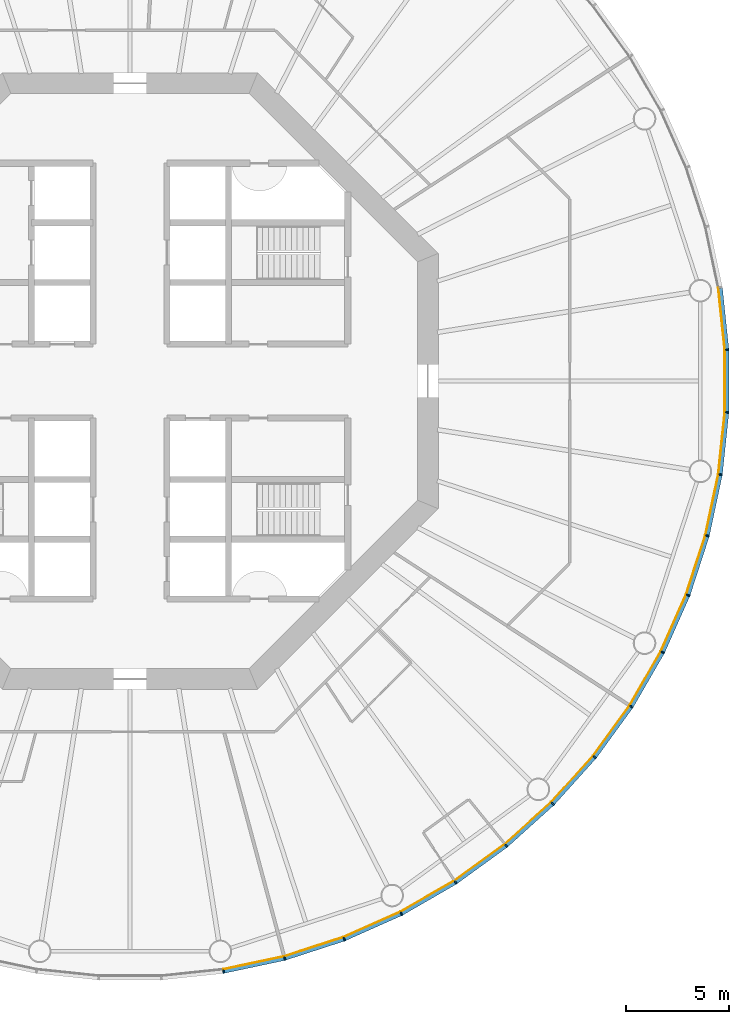
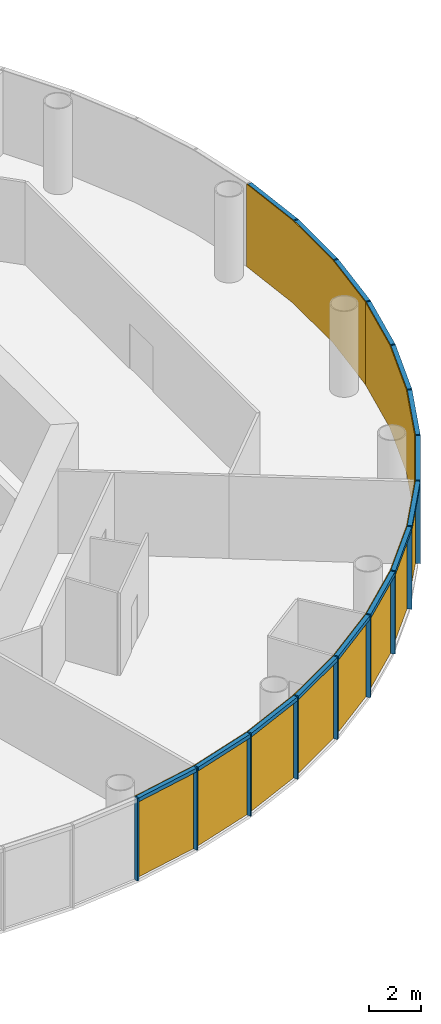
# One storey, part 9 of 13: 30 members, 5 curtain walls.
"""IFC4 building model written with IfcOpenShell, lengths in metres."""

from ifc_helpers import new_model, si_unit, direction, frame, origin, origin_2d, place, context, subcontext, project, spatial, polyline, rectangle, outline, extrude, material, layer, layer_set, material_profile, profile_set, type_object, element, aggregate, save


model = new_model("IFC4")

# Units and contexts
model_context = context("Model", 3, precision=1e-05, world=origin(), true_north=direction((0.0, 1.0)))
body_context = subcontext(model_context, "Body", "Model", "MODEL_VIEW")
ifc_project = project(units=[si_unit("LENGTHUNIT", "METRE"), si_unit("AREAUNIT", "SQUARE_METRE"), si_unit("VOLUMEUNIT", "CUBIC_METRE"), si_unit("PLANEANGLEUNIT", "RADIAN"), si_unit("MASSUNIT", "GRAM", prefix="KILO")], contexts=[model_context])

# Member
ifc_material_1 = material(Name="Anodised aluminium", Category="aluminium")
ifc_material_profile_1 = material_profile(ifc_material_1, rectangle(XDim=0.06494140625, YDim=0.18505859375, at=origin_2d()), Name="Mullion 65 x 185 mm anodised aluminium")
ifc_profile_set_1 = profile_set([ifc_material_profile_1], Name="Anodised aluminium")
member_type_1 = type_object("IfcMemberType", Name="Mullion 65 x 185 mm anodised aluminium", PredefinedType="MULLION", material=ifc_profile_set_1)
site_placement = place(None, origin())
building_placement = place(site_placement, origin())
storey_placement = place(building_placement, frame((0.0, 0.0, 168.0)))
member_1_placement = place(storey_placement, frame((94.551025390625, 51.265625, 0.0), z_axis=(0.0, 0.0, 1.0), x_axis=(0.987688340595, 0.15643446504, 0.0)))
member_1 = element("IfcMember", 1, at=member_1_placement, type_object=member_type_1, Name="MULLION L38-45", PredefinedType="MULLION", context=body_context, shape_type="SweptSolid", body=[
    extrude(rectangle(XDim=0.06494140625, YDim=0.18505859375, at=origin_2d()), origin(), (0.0, 0.0, 1.0), 3.85009765625),
])

member_2_placement = place(storey_placement, frame((97.52978515625, 51.898681640625, 0.0), z_axis=(0.0, 0.0, 1.0), x_axis=(0.965925826289, 0.258819045103, 0.0)))
member_2 = element("IfcMember", 2, at=member_2_placement, type_object=member_type_1, Name="MULLION L38-46", PredefinedType="MULLION", context=body_context, shape_type="SweptSolid", body=[
    extrude(rectangle(XDim=0.06494140625, YDim=0.18505859375, at=origin_2d()), origin(), (0.0, 0.0, 1.0), 3.85009765625),
])

member_3_placement = place(storey_placement, frame((100.42578125, 52.83984375, 0.0), z_axis=(0.0, 0.0, 1.0), x_axis=(0.933580426497, 0.358367949545, 0.0)))
member_3 = element("IfcMember", 3, at=member_3_placement, type_object=member_type_1, Name="MULLION L38-47", PredefinedType="MULLION", context=body_context, shape_type="SweptSolid", body=[
    extrude(rectangle(XDim=0.06494140625, YDim=0.18505859375, at=origin_2d()), origin(), (0.0, 0.0, 1.0), 3.85009765625),
])

member_4_placement = place(storey_placement, frame((103.207763671875, 54.078369140625, 0.0), z_axis=(0.0, 0.0, 1.0), x_axis=(0.891006524188, 0.45399049974, 0.0)))
member_4 = element("IfcMember", 4, at=member_4_placement, type_object=member_type_1, Name="MULLION L38-48", PredefinedType="MULLION", context=body_context, shape_type="SweptSolid", body=[
    extrude(rectangle(XDim=0.06494140625, YDim=0.18505859375, at=origin_2d()), origin(), (0.0, 0.0, 1.0), 3.85009765625),
])

member_5_placement = place(storey_placement, frame((105.844970703125, 55.60107421875, 0.0), z_axis=(0.0, 0.0, 1.0), x_axis=(0.838670567945, 0.544639035015, 0.0)))
member_5 = element("IfcMember", 5, at=member_5_placement, type_object=member_type_1, Name="MULLION L38-49", PredefinedType="MULLION", context=body_context, shape_type="SweptSolid", body=[
    extrude(rectangle(XDim=0.06494140625, YDim=0.18505859375, at=origin_2d()), origin(), (0.0, 0.0, 1.0), 3.85009765625),
])

member_6_placement = place(storey_placement, frame((108.30859375, 57.390869140625, 0.0), z_axis=(0.0, 0.0, 1.0), x_axis=(0.777145961457, 0.62932039105, 0.0)))
member_6 = element("IfcMember", 6, at=member_6_placement, type_object=member_type_1, Name="MULLION L38-50", PredefinedType="MULLION", context=body_context, shape_type="SweptSolid", body=[
    extrude(rectangle(XDim=0.06494140625, YDim=0.18505859375, at=origin_2d()), origin(), (0.0, 0.0, 1.0), 3.85009765625),
])

member_7_placement = place(storey_placement, frame((110.571533203125, 59.428466796875, 0.0), z_axis=(0.0, 0.0, 1.0), x_axis=(0.707106781187, 0.707106781187, 0.0)))
member_7 = element("IfcMember", 7, at=member_7_placement, type_object=member_type_1, Name="MULLION L38-51", PredefinedType="MULLION", context=body_context, shape_type="SweptSolid", body=[
    extrude(rectangle(XDim=0.06494140625, YDim=0.18505859375, at=origin_2d()), origin(), (0.0, 0.0, 1.0), 3.85009765625),
])

member_8_placement = place(storey_placement, frame((112.609130859375, 61.69140625, 0.0), z_axis=(0.0, 0.0, 1.0), x_axis=(0.62932039105, 0.777145961457, 0.0)))
member_8 = element("IfcMember", 8, at=member_8_placement, type_object=member_type_1, Name="MULLION L38-52", PredefinedType="MULLION", context=body_context, shape_type="SweptSolid", body=[
    extrude(rectangle(XDim=0.06494140625, YDim=0.18505859375, at=origin_2d()), origin(), (0.0, 0.0, 1.0), 3.85009765625),
])

member_9_placement = place(storey_placement, frame((114.39892578125, 64.155029296875, 0.0), z_axis=(0.0, 0.0, 1.0), x_axis=(0.544639035015, 0.838670567945, 0.0)))
member_9 = element("IfcMember", 9, at=member_9_placement, type_object=member_type_1, Name="MULLION L38-53", PredefinedType="MULLION", context=body_context, shape_type="SweptSolid", body=[
    extrude(rectangle(XDim=0.06494140625, YDim=0.18505859375, at=origin_2d()), origin(), (0.0, 0.0, 1.0), 3.85009765625),
])

member_10_placement = place(storey_placement, frame((115.921630859375, 66.792236328125, 0.0), z_axis=(0.0, 0.0, 1.0), x_axis=(0.45399049974, 0.891006524188, 0.0)))
member_10 = element("IfcMember", 10, at=member_10_placement, type_object=member_type_1, Name="MULLION L38-54", PredefinedType="MULLION", context=body_context, shape_type="SweptSolid", body=[
    extrude(rectangle(XDim=0.06494140625, YDim=0.18505859375, at=origin_2d()), origin(), (0.0, 0.0, 1.0), 3.85009765625),
])

member_11_placement = place(storey_placement, frame((117.16015625, 69.57421875, 0.0), z_axis=(0.0, 0.0, 1.0), x_axis=(0.358367949545, 0.933580426497, 0.0)))
member_11 = element("IfcMember", 11, at=member_11_placement, type_object=member_type_1, Name="MULLION L38-55", PredefinedType="MULLION", context=body_context, shape_type="SweptSolid", body=[
    extrude(rectangle(XDim=0.06494140625, YDim=0.18505859375, at=origin_2d()), origin(), (0.0, 0.0, 1.0), 3.85009765625),
])

member_12_placement = place(storey_placement, frame((118.101318359375, 72.47021484375, 0.0), z_axis=(0.0, 0.0, 1.0), x_axis=(0.258819045103, 0.965925826289, 0.0)))
member_12 = element("IfcMember", 12, at=member_12_placement, type_object=member_type_1, Name="MULLION L38-56", PredefinedType="MULLION", context=body_context, shape_type="SweptSolid", body=[
    extrude(rectangle(XDim=0.06494140625, YDim=0.18505859375, at=origin_2d()), origin(), (0.0, 0.0, 1.0), 3.85009765625),
])

member_13_placement = place(storey_placement, frame((118.734375, 75.448974609375, 0.0), z_axis=(0.0, 0.0, 1.0), x_axis=(0.15643446504, 0.987688340595, 0.0)))
member_13 = element("IfcMember", 13, at=member_13_placement, type_object=member_type_1, Name="MULLION L38-57", PredefinedType="MULLION", context=body_context, shape_type="SweptSolid", body=[
    extrude(rectangle(XDim=0.06494140625, YDim=0.18505859375, at=origin_2d()), origin(), (0.0, 0.0, 1.0), 3.85009765625),
])

member_14_placement = place(storey_placement, frame((119.052734375, 78.477294921875, 0.0), z_axis=(0.0, 0.0, 1.0), x_axis=(0.052335956243, 0.998629534755, 0.0)))
member_14 = element("IfcMember", 14, at=member_14_placement, type_object=member_type_1, Name="MULLION L38-58", PredefinedType="MULLION", context=body_context, shape_type="SweptSolid", body=[
    extrude(rectangle(XDim=0.06494140625, YDim=0.18505859375, at=origin_2d()), origin(), (0.0, 0.0, 1.0), 3.85009765625),
])

member_15_placement = place(storey_placement, frame((119.052734375, 81.522705078125, 0.0), z_axis=(0.0, 0.0, 1.0), x_axis=(-0.052335956243, 0.998629534755, 0.0)))
member_15 = element("IfcMember", 15, at=member_15_placement, type_object=member_type_1, Name="MULLION L38-59", PredefinedType="MULLION", context=body_context, shape_type="SweptSolid", body=[
    extrude(rectangle(XDim=0.06494140625, YDim=0.18505859375, at=origin_2d()), origin(), (0.0, 0.0, 1.0), 3.85009765625),
])

ifc_material_2 = material(Name="Anodised aluminium", Category="aluminium")
ifc_material_profile_2 = material_profile(ifc_material_2, rectangle(XDim=0.18505859375, YDim=0.175048828125, at=origin_2d()), Name="Transom 175 x 185 mm anodised aluminium")
ifc_profile_set_2 = profile_set([ifc_material_profile_2], Name="Anodised aluminium")
member_type_2 = type_object("IfcMemberType", Name="Transom 175 x 185 mm anodised aluminium", PredefinedType="USERDEFINED", material=ifc_profile_set_2)
member_16_placement = place(storey_placement, frame((94.587646484375, 51.2734375, 3.762451171875), z_axis=(0.97815822425, 0.207861704825, 0.0), x_axis=(-0.207861704825, 0.97815822425, 0.0)))
member_16 = element("IfcMember", 16, at=member_16_placement, type_object=member_type_2, Name="TRANSOM L38-45", ObjectType="TRANSOM", PredefinedType="USERDEFINED", context=body_context, shape_type="SweptSolid", body=[
    extrude(rectangle(XDim=0.18505859375, YDim=0.175048828125, at=origin_2d()), origin(), (0.0, 0.0, 1.0), 2.970458984375),
])

member_17_placement = place(storey_placement, frame((97.565185546875, 51.91015625, 3.762451171875), z_axis=(0.951055809184, 0.30901917063, 0.0), x_axis=(-0.30901917063, 0.951055809184, 0.0)))
member_17 = element("IfcMember", 17, at=member_17_placement, type_object=member_type_2, Name="TRANSOM L38-46", ObjectType="TRANSOM", PredefinedType="USERDEFINED", context=body_context, shape_type="SweptSolid", body=[
    extrude(rectangle(XDim=0.18505859375, YDim=0.175048828125, at=origin_2d()), origin(), (0.0, 0.0, 1.0), 2.970703125),
])

member_18_placement = place(storey_placement, frame((100.4599609375, 52.85498046875, 3.762451171875), z_axis=(0.913567348806, 0.406687471156, 0.0), x_axis=(-0.406687471156, 0.913567348806, 0.0)))
member_18 = element("IfcMember", 18, at=member_18_placement, type_object=member_type_2, Name="TRANSOM L38-47", ObjectType="TRANSOM", PredefinedType="USERDEFINED", context=body_context, shape_type="SweptSolid", body=[
    extrude(rectangle(XDim=0.18505859375, YDim=0.175048828125, at=origin_2d()), origin(), (0.0, 0.0, 1.0), 2.970458984375),
])

member_19_placement = place(storey_placement, frame((103.240234375, 54.096923828125, 3.762451171875), z_axis=(0.866009025146, 0.500028367561, 0.0), x_axis=(-0.500028367561, 0.866009025146, 0.0)))
member_19 = element("IfcMember", 19, at=member_19_placement, type_object=member_type_2, Name="TRANSOM L38-48", ObjectType="TRANSOM", PredefinedType="USERDEFINED", context=body_context, shape_type="SweptSolid", body=[
    extrude(rectangle(XDim=0.18505859375, YDim=0.175048828125, at=origin_2d()), origin(), (0.0, 0.0, 1.0), 2.970458984375),
])

member_20_placement = place(storey_placement, frame((105.875244140625, 55.622802734375, 3.762451171875), z_axis=(0.808991906087, 0.587819781808, 0.0), x_axis=(-0.587819781808, 0.808991906087, 0.0)))
member_20 = element("IfcMember", 20, at=member_20_placement, type_object=member_type_2, Name="TRANSOM L38-49", ObjectType="TRANSOM", PredefinedType="USERDEFINED", context=body_context, shape_type="SweptSolid", body=[
    extrude(rectangle(XDim=0.18505859375, YDim=0.175048828125, at=origin_2d()), origin(), (0.0, 0.0, 1.0), 2.970458984375),
])

member_21_placement = place(storey_placement, frame((108.33642578125, 57.415771484375, 3.762451171875), z_axis=(0.743163354343, 0.669110027395, 0.0), x_axis=(-0.669110027395, 0.743163354343, 0.0)))
member_21 = element("IfcMember", 21, at=member_21_placement, type_object=member_type_2, Name="TRANSOM L38-50", ObjectType="TRANSOM", PredefinedType="USERDEFINED", context=body_context, shape_type="SweptSolid", body=[
    extrude(rectangle(XDim=0.18505859375, YDim=0.175048828125, at=origin_2d()), origin(), (0.0, 0.0, 1.0), 2.970458984375),
])

member_22_placement = place(storey_placement, frame((110.5966796875, 59.4560546875, 3.762451171875), z_axis=(0.669110027395, 0.743163354343, 0.0), x_axis=(-0.743163354343, 0.669110027395, 0.0)))
member_22 = element("IfcMember", 22, at=member_22_placement, type_object=member_type_2, Name="TRANSOM L38-51", ObjectType="TRANSOM", PredefinedType="USERDEFINED", context=body_context, shape_type="SweptSolid", body=[
    extrude(rectangle(XDim=0.18505859375, YDim=0.175048828125, at=origin_2d()), origin(), (0.0, 0.0, 1.0), 2.970458984375),
])

member_23_placement = place(storey_placement, frame((112.631103515625, 61.7216796875, 3.762451171875), z_axis=(0.587819781808, 0.808991906087, 0.0), x_axis=(-0.808991906087, 0.587819781808, 0.0)))
member_23 = element("IfcMember", 23, at=member_23_placement, type_object=member_type_2, Name="TRANSOM L38-52", ObjectType="TRANSOM", PredefinedType="USERDEFINED", context=body_context, shape_type="SweptSolid", body=[
    extrude(rectangle(XDim=0.18505859375, YDim=0.175048828125, at=origin_2d()), origin(), (0.0, 0.0, 1.0), 2.970458984375),
])

member_24_placement = place(storey_placement, frame((114.417724609375, 64.187255859375, 3.762451171875), z_axis=(0.500028367561, 0.866009025146, 0.0), x_axis=(-0.866009025146, 0.500028367561, 0.0)))
member_24 = element("IfcMember", 24, at=member_24_placement, type_object=member_type_2, Name="TRANSOM L38-53", ObjectType="TRANSOM", PredefinedType="USERDEFINED", context=body_context, shape_type="SweptSolid", body=[
    extrude(rectangle(XDim=0.18505859375, YDim=0.175048828125, at=origin_2d()), origin(), (0.0, 0.0, 1.0), 2.970458984375),
])

member_25_placement = place(storey_placement, frame((115.93701171875, 66.826416015625, 3.762451171875), z_axis=(0.406687471156, 0.913567348806, 0.0), x_axis=(-0.913567348806, 0.406687471156, 0.0)))
member_25 = element("IfcMember", 25, at=member_25_placement, type_object=member_type_2, Name="TRANSOM L38-54", ObjectType="TRANSOM", PredefinedType="USERDEFINED", context=body_context, shape_type="SweptSolid", body=[
    extrude(rectangle(XDim=0.18505859375, YDim=0.175048828125, at=origin_2d()), origin(), (0.0, 0.0, 1.0), 2.970458984375),
])

member_26_placement = place(storey_placement, frame((117.171875, 69.609619140625, 3.762451171875), z_axis=(0.30901917063, 0.951055809184, 0.0), x_axis=(-0.951055809184, 0.30901917063, 0.0)))
member_26 = element("IfcMember", 26, at=member_26_placement, type_object=member_type_2, Name="TRANSOM L38-55", ObjectType="TRANSOM", PredefinedType="USERDEFINED", context=body_context, shape_type="SweptSolid", body=[
    extrude(rectangle(XDim=0.18505859375, YDim=0.175048828125, at=origin_2d()), origin(), (0.0, 0.0, 1.0), 2.970703125),
])

member_27_placement = place(storey_placement, frame((118.109130859375, 72.5068359375, 3.762451171875), z_axis=(0.207861704825, 0.97815822425, 0.0), x_axis=(-0.97815822425, 0.207861704825, 0.0)))
member_27 = element("IfcMember", 27, at=member_27_placement, type_object=member_type_2, Name="TRANSOM L38-56", ObjectType="TRANSOM", PredefinedType="USERDEFINED", context=body_context, shape_type="SweptSolid", body=[
    extrude(rectangle(XDim=0.18505859375, YDim=0.175048828125, at=origin_2d()), origin(), (0.0, 0.0, 1.0), 2.970458984375),
])

member_28_placement = place(storey_placement, frame((118.73828125, 75.486083984375, 3.762451171875), z_axis=(0.104547872381, 0.994519855197, 0.0), x_axis=(-0.994519855197, 0.104547872381, 0.0)))
member_28 = element("IfcMember", 28, at=member_28_placement, type_object=member_type_2, Name="TRANSOM L38-57", ObjectType="TRANSOM", PredefinedType="USERDEFINED", context=body_context, shape_type="SweptSolid", body=[
    extrude(rectangle(XDim=0.18505859375, YDim=0.175048828125, at=origin_2d()), origin(), (0.0, 0.0, 1.0), 2.970458984375),
])

member_29_placement = place(storey_placement, frame((119.052734375, 78.5146484375, 3.762451171875), z_axis=(0.0, 1.0, 0.0), x_axis=(-1.0, 0.0, 0.0)))
member_29 = element("IfcMember", 29, at=member_29_placement, type_object=member_type_2, Name="TRANSOM L38-58", ObjectType="TRANSOM", PredefinedType="USERDEFINED", context=body_context, shape_type="SweptSolid", body=[
    extrude(rectangle(XDim=0.18505859375, YDim=0.175048828125, at=origin_2d()), origin(), (0.0, 0.0, 1.0), 2.970703125),
])

member_30_placement = place(storey_placement, frame((119.048828125, 81.559814453125, 3.762451171875), z_axis=(-0.104547872381, 0.994519855197, 0.0), x_axis=(-0.994519855197, -0.104547872381, 0.0)))
member_30 = element("IfcMember", 30, at=member_30_placement, type_object=member_type_2, Name="TRANSOM L38-59", ObjectType="TRANSOM", PredefinedType="USERDEFINED", context=body_context, shape_type="SweptSolid", body=[
    extrude(rectangle(XDim=0.18505859375, YDim=0.175048828125, at=origin_2d()), origin(), (0.0, 0.0, 1.0), 2.970458984375),
])

# Site, building, storey
site = spatial("IfcSite", under=ifc_project, at=site_placement, CompositionType="ELEMENT")
building = spatial("IfcBuilding", under=site, at=building_placement, Name="Entoto Ring Tower", CompositionType="ELEMENT")
storey = spatial("IfcBuildingStorey", under=building, at=storey_placement, Name="L38", CompositionType="ELEMENT", Elevation=168.0)

# Curtain wall
ifc_material_3 = material(Name="Clear low-iron glass", Category="glass")
ifc_layer = layer(ifc_material_3, 0.033935546875)
ifc_layer_set = layer_set([ifc_layer], Name="Clear low-iron glass")
curtain_wall_type = type_object("IfcCurtainWallType", Name="Curtain wall system CW3 glazing 34 mm", PredefinedType="NOTDEFINED", material=ifc_layer_set)
curtain_wall_1_placement = place(storey_placement, origin())
curtain_wall_1 = element("IfcCurtainWall", 31, at=curtain_wall_1_placement, inside=storey, type_object=curtain_wall_type, Name="CW3 L38-16", PredefinedType="NOTDEFINED", context=body_context, shape_type="SweptSolid", body=[
    extrude(outline(polyline([(94.53662109375, 51.35693359375), (97.505859375, 51.988037109375), (100.392578125, 52.92626953125), (103.165771484375, 54.160888671875), (103.150146484375, 54.191162109375), (100.38037109375, 52.9580078125), (97.496826171875, 52.02099609375), (94.53125, 51.390625), (94.53662109375, 51.35693359375)])), origin(), (0.0, 0.0, 1.0), 3.85009765625),
])

aggregate(curtain_wall_1, [member_1, member_2, member_3, member_16, member_17, member_18])

curtain_wall_2_placement = place(storey_placement, origin())
curtain_wall_2 = element("IfcCurtainWall", 32, at=curtain_wall_2_placement, inside=storey, type_object=curtain_wall_type, Name="CW3 L38-17", PredefinedType="NOTDEFINED", context=body_context, shape_type="SweptSolid", body=[
    extrude(outline(polyline([(103.165771484375, 54.160888671875), (105.79443359375, 55.678466796875), (108.250244140625, 57.462646484375), (110.506103515625, 59.493896484375), (110.48193359375, 59.51806640625), (108.228759765625, 57.4892578125), (105.77587890625, 55.70703125), (103.150146484375, 54.191162109375), (103.165771484375, 54.160888671875)])), origin(), (0.0, 0.0, 1.0), 3.85009765625),
])

aggregate(curtain_wall_2, [member_4, member_5, member_6, member_19, member_20, member_21])

curtain_wall_3_placement = place(storey_placement, origin())
curtain_wall_3 = element("IfcCurtainWall", 33, at=curtain_wall_3_placement, inside=storey, type_object=curtain_wall_type, Name="CW3 L38-18", PredefinedType="NOTDEFINED", context=body_context, shape_type="SweptSolid", body=[
    extrude(outline(polyline([(110.506103515625, 59.493896484375), (112.537353515625, 61.749755859375), (114.321533203125, 64.20556640625), (115.839111328125, 66.834228515625), (115.808837890625, 66.849853515625), (114.29296875, 64.22412109375), (112.5107421875, 61.771240234375), (110.48193359375, 59.51806640625), (110.506103515625, 59.493896484375)])), origin(), (0.0, 0.0, 1.0), 3.85009765625),
])

aggregate(curtain_wall_3, [member_7, member_8, member_9, member_22, member_23, member_24])

curtain_wall_4_placement = place(storey_placement, origin())
curtain_wall_4 = element("IfcCurtainWall", 34, at=curtain_wall_4_placement, inside=storey, type_object=curtain_wall_type, Name="CW3 L38-19", PredefinedType="NOTDEFINED", context=body_context, shape_type="SweptSolid", body=[
    extrude(outline(polyline([(115.839111328125, 66.834228515625), (117.07373046875, 69.607421875), (118.011962890625, 72.494140625), (118.64306640625, 75.46337890625), (118.609375, 75.46875), (117.97900390625, 72.503173828125), (117.0419921875, 69.61962890625), (115.808837890625, 66.849853515625), (115.839111328125, 66.834228515625)])), origin(), (0.0, 0.0, 1.0), 3.85009765625),
])

aggregate(curtain_wall_4, [member_10, member_11, member_12, member_25, member_26, member_27])

curtain_wall_5_placement = place(storey_placement, origin())
curtain_wall_5 = element("IfcCurtainWall", 35, at=curtain_wall_5_placement, inside=storey, type_object=curtain_wall_type, Name="CW3 L38-20", PredefinedType="NOTDEFINED", context=body_context, shape_type="SweptSolid", body=[
    extrude(outline(polyline([(118.64306640625, 75.46337890625), (118.960205078125, 78.482177734375), (118.960205078125, 81.517822265625), (118.64306640625, 84.53662109375), (118.609375, 84.53125), (118.92626953125, 81.515869140625), (118.92626953125, 78.484130859375), (118.609375, 75.46875), (118.64306640625, 75.46337890625)])), origin(), (0.0, 0.0, 1.0), 3.85009765625),
])

aggregate(curtain_wall_5, [member_13, member_14, member_15, member_28, member_29, member_30])

save(model, "model.ifc")
